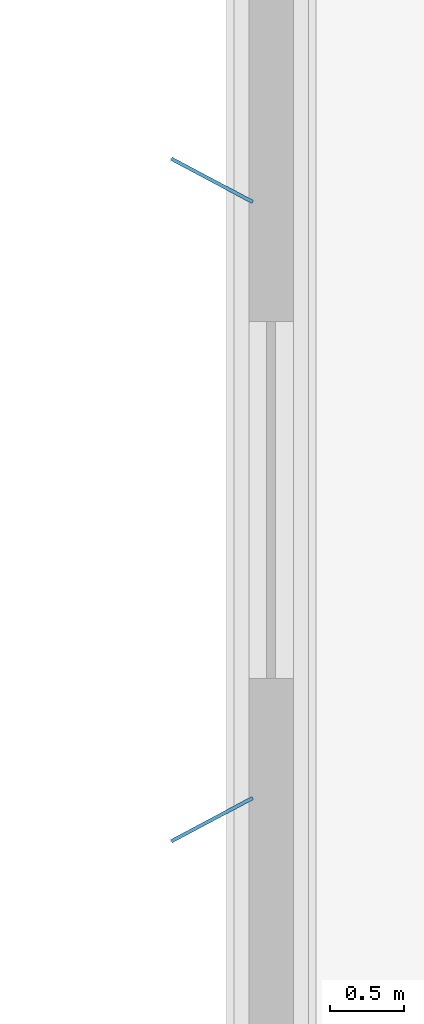
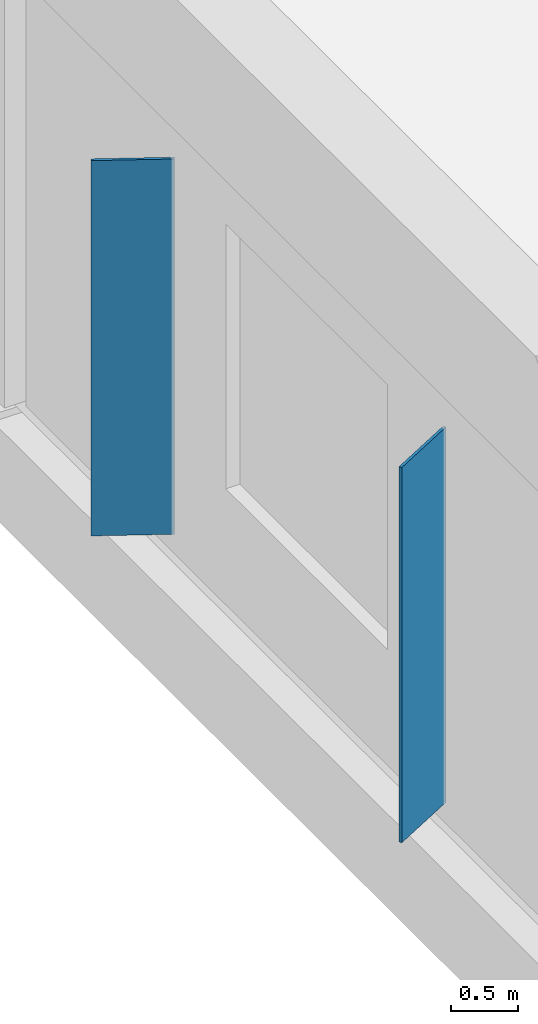
# One storey, part 48 of 80: 2 plates.
"""IFC4 building model written with IfcOpenShell, lengths in metres."""

from ifc_helpers import new_model, si_unit, direction, frame, origin, origin_2d, place, context, subcontext, project, spatial, rectangle, extrude, material, layer, layer_set, type_object, element, save


model = new_model("IFC4")

# Units and contexts
model_context = context("Model", 3, precision=1e-05, world=origin(), true_north=direction((0.0, 1.0)))
body_context = subcontext(model_context, "Body", "Model", "MODEL_VIEW")
ifc_project = project(units=[si_unit("LENGTHUNIT", "METRE"), si_unit("AREAUNIT", "SQUARE_METRE"), si_unit("VOLUMEUNIT", "CUBIC_METRE"), si_unit("PLANEANGLEUNIT", "RADIAN"), si_unit("MASSUNIT", "GRAM", prefix="KILO")], contexts=[model_context])

# Site, building, storey
site_placement = place(None, origin())
site = spatial("IfcSite", under=ifc_project, at=site_placement, CompositionType="ELEMENT")
building_placement = place(site_placement, origin())
building = spatial("IfcBuilding", under=site, at=building_placement, Name="Khurvash Pelagic Aquarium", CompositionType="ELEMENT")
storey_placement = place(building_placement, frame((0.0, 0.0, 10.800048828125)))
storey = spatial("IfcBuildingStorey", under=building, at=storey_placement, Name="L02", CompositionType="ELEMENT", Elevation=10.800048828125)

# Plates
ifc_material = material(Name="Anodised aluminium AW-5005", Category="aluminium")
ifc_layer = layer(ifc_material, 0.02392578125)
ifc_layer_set = layer_set([ifc_layer], Name="Anodised aluminium AW-5005")
plate_type = type_object("IfcPlateType", Name="SP-01", PredefinedType="SHEET", material=ifc_layer_set)
for number, where, z_axis, x_axis, name in (
    (1, (125.60205078125, 63.574951171875, 0.14990234375), (0.0, 0.0, 1.0), (-0.882947592859, 0.469471562786, 0.0), "L02 Parametric Folded Aluminium Solar Screen Fin SP-01 0151"),
    (2, (125.60205078125, 59.27490234375, 0.14990234375), (0.0, 0.0, 1.0), (-0.882947592859, -0.469471562786, 0.0), "L02 Parametric Folded Aluminium Solar Screen Fin SP-01 0152"),
):
    element("IfcPlate", number, at=place(storey_placement, frame(where, z_axis=z_axis, x_axis=x_axis)), inside=storey, type_object=plate_type, Name=name, PredefinedType="SHEET", context=body_context, shape_type="SweptSolid", body=[
        extrude(rectangle(XDim=0.6201171875, YDim=0.02392578125, at=origin_2d()), origin(), (0.0, 0.0, 1.0), 3.39990234375),
    ])

save(model, "model.ifc")
